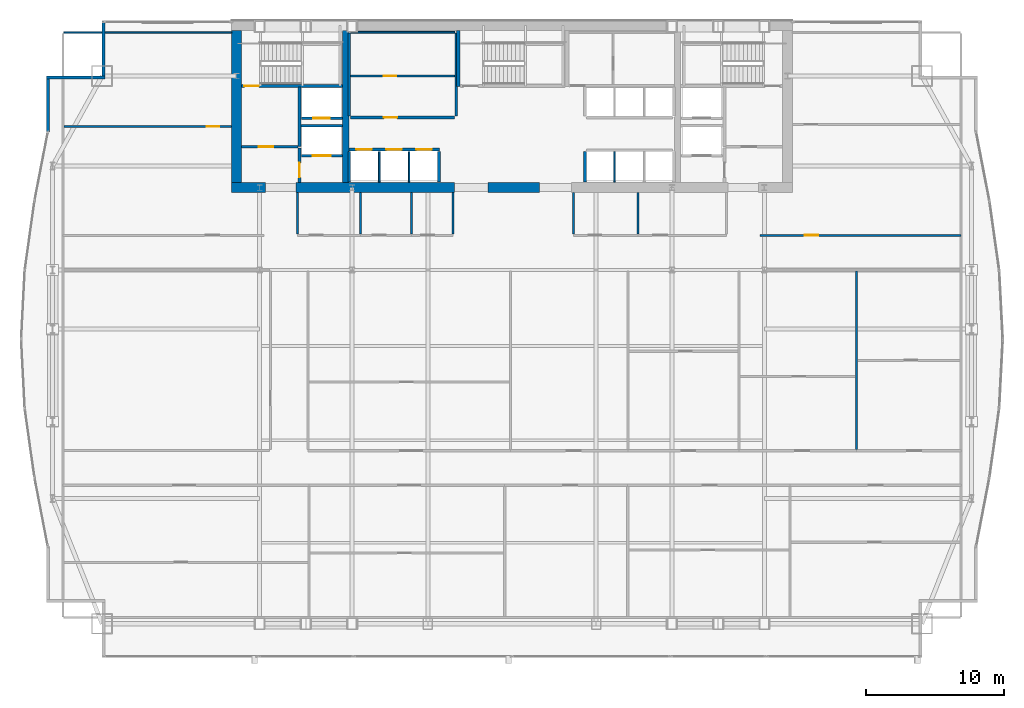
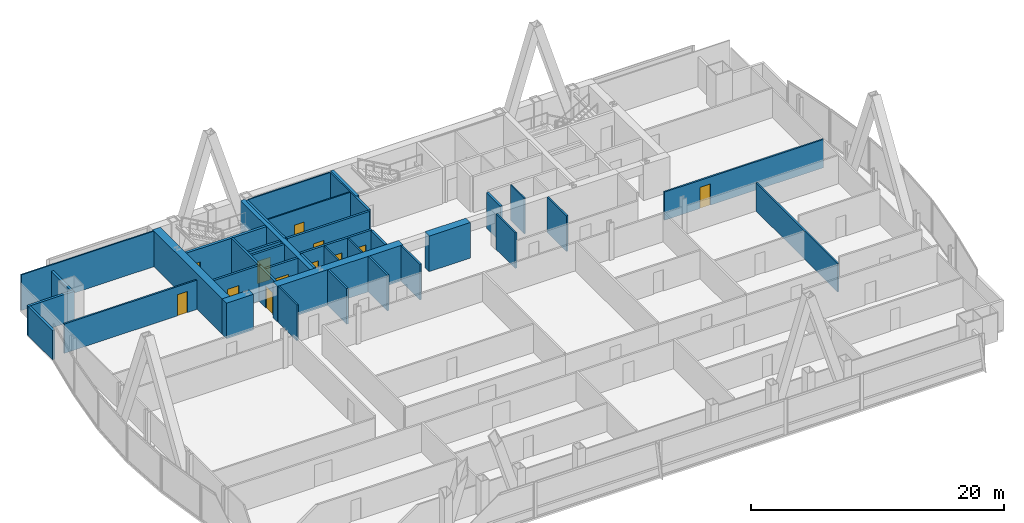
# One storey, part 28 of 33: 38 walls, 12 doors, 12 openings.
"""IFC4 building model written with IfcOpenShell, lengths in metres."""

import ifcopenshell
import ifcopenshell.guid

model = None  # the IFC model being written
_history = None  # IfcOwnerHistory: only IFC2X3 demands one
_inside = {}  # id of a spatial element -> (the spatial element, [elements in it])
_under = {}  # id of a project, library or spatial element -> (it, [spatial elements below it])
_declared = {}  # id of a project -> (the project, [libraries it declares])
_typed = {}  # id of a type object -> (the type object, [elements of that type])
_made_of = {}  # id of a material, layer set ... -> (it, [elements and type objects made of it])


def new_model(schema):
    """Start an empty IFC model of exactly this schema.

    Asked for "IFC4X3", IfcOpenShell would pick the latest addendum, in which some entities
    have other attributes; the version numbers below select the first issue.
    IFC2X3 requires an IfcOwnerHistory on every rooted entity: one is made here for all.
    """
    global model, _history
    if schema == "IFC4X3":
        model = ifcopenshell.file(schema_version=(4, 3, 0, 0))
    else:
        model = ifcopenshell.file(schema=schema)
    _inside.clear()
    _under.clear()
    _declared.clear()
    _typed.clear()
    _made_of.clear()
    _history = None
    if model.schema == "IFC2X3":
        org = make("IfcOrganization", Name="unknown")
        user = make(
            "IfcPersonAndOrganization",
            ThePerson=make("IfcPerson", FamilyName="unknown"),
            TheOrganization=org,
        )
        app = make(
            "IfcApplication",
            ApplicationDeveloper=org,
            Version="unknown",
            ApplicationFullName="unknown",
            ApplicationIdentifier="unknown",
        )
        _history = make(
            "IfcOwnerHistory",
            OwningUser=user,
            OwningApplication=app,
            ChangeAction="ADDED",
            CreationDate=0,
        )
    return model


def make(cls, **values):
    """One entity of the class cls with the attributes given. An attribute that is None is left unset."""
    return model.create_entity(
        cls, **{name: value for name, value in values.items() if value is not None}
    )


def rooted(cls, **values):
    """An entity with a GlobalId (a new one), such as an element, a storey or a relation."""
    return make(cls, GlobalId=ifcopenshell.guid.new(), OwnerHistory=_history, **values)


def si_unit(unit_type, name, prefix=None):
    """IfcSIUnit, for example si_unit("LENGTHUNIT", "METRE", prefix="MILLI")."""
    return make("IfcSIUnit", UnitType=unit_type, Prefix=prefix, Name=name)


def assignment(units):
    """IfcUnitAssignment: the units of a project."""
    return None if units is None else make("IfcUnitAssignment", Units=units)


def point(xyz):
    """IfcCartesianPoint."""
    return None if xyz is None else make("IfcCartesianPoint", Coordinates=xyz)


def direction(xyz):
    """IfcDirection."""
    return None if xyz is None else make("IfcDirection", DirectionRatios=xyz)


def frame(location, z_axis=None, x_axis=None):
    """IfcAxis2Placement3D, a coordinate frame: its origin and axes. An axis left out is left unset."""
    return make(
        "IfcAxis2Placement3D",
        Location=point(location),
        Axis=direction(z_axis),
        RefDirection=direction(x_axis),
    )


def frame_2d(location, x_axis=None):
    """IfcAxis2Placement2D, a coordinate frame in the plane: its origin and x axis."""
    return make(
        "IfcAxis2Placement2D", Location=point(location), RefDirection=direction(x_axis)
    )


def origin():
    """The frame at (0, 0, 0) with its axes left unset."""
    return frame((0.0, 0.0, 0.0))


def place(relative_to, where):
    """IfcLocalPlacement: puts the frame where relative to a parent placement (None: the world)."""
    return make(
        "IfcLocalPlacement", PlacementRelTo=relative_to, RelativePlacement=where
    )


def context(
    kind, dimensions, precision=None, world=None, true_north=None, identifier=None
):
    """IfcGeometricRepresentationContext, for example the 3D "Model" context."""
    return make(
        "IfcGeometricRepresentationContext",
        ContextIdentifier=identifier,
        ContextType=kind,
        CoordinateSpaceDimension=dimensions,
        Precision=precision,
        WorldCoordinateSystem=world,
        TrueNorth=true_north,
    )


def subcontext(parent, identifier, kind, view, scale=None):
    """IfcGeometricRepresentationSubContext, for example "Body" below "Model"."""
    return make(
        "IfcGeometricRepresentationSubContext",
        ContextIdentifier=identifier,
        ContextType=kind,
        ParentContext=parent,
        TargetScale=scale,
        TargetView=view,
    )


def project(units=None, contexts=None):
    """IfcProject with its units and contexts."""
    return rooted(
        "IfcProject",
        Name="project",
        RepresentationContexts=contexts,
        UnitsInContext=assignment(units),
    )


def spatial(cls, under=None, at=None, **own):
    """A site, building, storey or space (cls), placed at a placement, below another one or the project."""
    s = rooted(cls, ObjectPlacement=at, **own)
    if under is not None:
        _under.setdefault(under.id(), (under, []))[1].append(s)
    return s


def profile(cls, at=None, kind="AREA", **sizes):
    """A parametric profile (cls). Its sizes go by their IFC names, for example OverallWidth=200.0."""
    return make(cls, ProfileType=kind, Position=at, **sizes)


def rectangle(**sizes):
    """IfcRectangleProfileDef."""
    return profile("IfcRectangleProfileDef", **sizes)


def extrude(swept, where, along, depth):
    """IfcExtrudedAreaSolid: the profile swept, set in the frame where, extruded along a direction by depth."""
    return make(
        "IfcExtrudedAreaSolid",
        SweptArea=swept,
        Position=where,
        ExtrudedDirection=direction(along),
        Depth=depth,
    )


def shape(context_of_items, identifier, shape_type, items):
    """IfcShapeRepresentation: the items that make up one representation, for example the "Body"."""
    return make(
        "IfcShapeRepresentation",
        ContextOfItems=context_of_items,
        RepresentationIdentifier=identifier,
        RepresentationType=shape_type,
        Items=items,
    )


def material(Name=None, Category=None):
    """IfcMaterial."""
    return make("IfcMaterial", Name=Name, Category=Category)


def layer(
    of_material, thickness, ventilated=None, Name=None, Category=None, Priority=None
):
    """IfcMaterialLayer: one layer of a wall or slab, of a material (None: an air gap)."""
    return make(
        "IfcMaterialLayer",
        Material=of_material,
        LayerThickness=thickness,
        IsVentilated=ventilated,
        Name=Name,
        Category=Category,
        Priority=Priority,
    )


def layer_set(layers, Name=None):
    """IfcMaterialLayerSet."""
    return make("IfcMaterialLayerSet", MaterialLayers=layers, LayerSetName=Name)


def made_of(thing, what):
    """Note that an element or type object is made of a material, layer set ...; save() writes the relation."""
    if what is not None:
        _made_of.setdefault(what.id(), (what, []))[1].append(thing)
    return thing


def type_object(cls, material=None, **own):
    """A type object (cls), such as IfcWallType, which elements share."""
    return made_of(rooted(cls, **own), material)


def element(
    cls,
    number,
    at=None,
    inside=None,
    cuts=None,
    type_object=None,
    material=None,
    context=None,
    identifier="Body",
    shape_type=None,
    held_by="IfcProductDefinitionShape",
    body=None,
    shapes=None,
    **own,
):
    """One element of the class cls, such as IfcWall. Its Tag is "e" and its number.

    at: its placement. inside: the storey or other place that contains it. cuts: it is an
    opening in that element (IfcRelVoidsElement). A single representation is given by context,
    identifier, shape_type and body (its items); several are given by shapes. held_by: the class
    of the entity that holds the representations. save() writes the other relations.
    """
    e = rooted(cls, Tag="e%d" % number, ObjectPlacement=at, **own)
    if body is not None:
        shapes = [shape(context, identifier, shape_type, body)]
    if shapes is not None:
        e.Representation = make(held_by, Representations=shapes)
    if inside is not None:
        _inside.setdefault(inside.id(), (inside, []))[1].append(e)
    if cuts is not None:
        rooted(
            "IfcRelVoidsElement", RelatingBuildingElement=cuts, RelatedOpeningElement=e
        )
    if type_object is not None:
        _typed.setdefault(type_object.id(), (type_object, []))[1].append(e)
    return made_of(e, material)


def fill(opening, filler):
    """IfcRelFillsElement: the door or window that sits in an opening."""
    return rooted(
        "IfcRelFillsElement",
        RelatingOpeningElement=opening,
        RelatedBuildingElement=filler,
    )


def aggregate(whole, parts):
    """IfcRelAggregates: a whole, such as a stair, and the parts it consists of."""
    return rooted("IfcRelAggregates", RelatingObject=whole, RelatedObjects=parts)


def save(model, path):
    """Write the relations noted so far, then the file.

    IfcRelAggregates (storeys below a building ...), IfcRelContainedInSpatialStructure (elements
    in a storey), IfcRelDefinesByType, IfcRelAssociatesMaterial and IfcRelDeclares: one each for
    every whole, place, type object, material and project.
    """
    for whole, parts in _under.values():
        aggregate(whole, parts)
    for where, things in _inside.values():
        rooted(
            "IfcRelContainedInSpatialStructure",
            RelatedElements=things,
            RelatingStructure=where,
        )
    for kind, things in _typed.values():
        rooted("IfcRelDefinesByType", RelatedObjects=things, RelatingType=kind)
    for what, things in _made_of.values():
        rooted("IfcRelAssociatesMaterial", RelatedObjects=things, RelatingMaterial=what)
    for by, libraries in _declared.values():
        rooted("IfcRelDeclares", RelatingContext=by, RelatedDefinitions=libraries)
    model.write(path)


model = new_model("IFC4")

# Units and contexts
model_context = context("Model", 3, precision=1e-05, world=origin(), true_north=direction((0.0, 1.0)))
body_context = subcontext(model_context, "Body", "Model", "MODEL_VIEW")
ifc_project = project(units=[si_unit("LENGTHUNIT", "METRE"), si_unit("AREAUNIT", "SQUARE_METRE"), si_unit("VOLUMEUNIT", "CUBIC_METRE"), si_unit("PLANEANGLEUNIT", "RADIAN"), si_unit("MASSUNIT", "GRAM", prefix="KILO")], contexts=[model_context])

# Site, building, storey
site_placement = place(None, origin())
site = spatial("IfcSite", under=ifc_project, at=site_placement, CompositionType="ELEMENT")
building_placement = place(site_placement, origin())
building = spatial("IfcBuilding", under=site, at=building_placement, Name="Khoronbel Lancet Exchange", CompositionType="ELEMENT")
storey_placement = place(building_placement, frame((0.0, 0.0, 118.199951171875)))
storey = spatial("IfcBuildingStorey", under=building, at=storey_placement, Name="L28", CompositionType="ELEMENT", Elevation=118.199951171875)

# Walls
ifc_material_1 = material(Name="Concrete C80/95", Category="concrete")
ifc_layer_1 = layer(ifc_material_1, 0.699951171875, Name="Concrete C80/95")
ifc_layer_set_1 = layer_set([ifc_layer_1], Name="Concrete C80/95")
wall_type_1 = type_object("IfcWallType", Name="WL-CW2", PredefinedType="SHEAR", material=ifc_layer_set_1)
wall_1_placement = place(storey_placement, frame((16.550048828125, 42.0, 0.0), z_axis=(0.0, 0.0, 1.0), x_axis=(0.0, 1.0, 0.0)))
element("IfcWall", 1, at=wall_1_placement, inside=storey, type_object=wall_type_1, Name="Level L28 rear core west shear wall", PredefinedType="SHEAR", context=body_context, shape_type="SweptSolid", body=[
    extrude(rectangle(XDim=11.0, YDim=0.699951171875, at=frame_2d((5.5, 0.0))), origin(), (0.0, 0.0, 1.0), 3.43994140625),
])
wall_2_placement = place(storey_placement, frame((18.64990234375, 41.64990234375, 0.0), z_axis=(0.0, 0.0, 1.0), x_axis=(-1.0, 0.0, 0.0)))
element("IfcWall", 2, at=wall_2_placement, inside=storey, type_object=wall_type_1, Name="Level L28 rear core south shear wall pier P1", PredefinedType="SHEAR", context=body_context, shape_type="SweptSolid", body=[
    extrude(rectangle(XDim=2.449951171875, YDim=0.699951171875, at=frame_2d((1.22509765625, 0.0))), origin(), (0.0, 0.0, 1.0), 3.43994140625),
])
wall_3_placement = place(storey_placement, frame((32.300048828125, 41.64990234375, 0.0), z_axis=(0.0, 0.0, 1.0), x_axis=(-1.0, 0.0, 0.0)))
element("IfcWall", 3, at=wall_3_placement, inside=storey, type_object=wall_type_1, Name="Level L28 rear core south shear wall pier P2", PredefinedType="SHEAR", context=body_context, shape_type="SweptSolid", body=[
    extrude(rectangle(XDim=11.449951171875, YDim=0.699951171875, at=frame_2d((5.72509765625, 0.0))), origin(), (0.0, 0.0, 1.0), 3.43994140625),
])
wall_4_placement = place(storey_placement, frame((38.449951171875, 41.64990234375, 0.0), z_axis=(0.0, 0.0, 1.0), x_axis=(-1.0, 0.0, 0.0)))
element("IfcWall", 4, at=wall_4_placement, inside=storey, type_object=wall_type_1, Name="Level L28 rear core south shear wall pier P3", PredefinedType="SHEAR", context=body_context, shape_type="SweptSolid", body=[
    extrude(rectangle(XDim=3.75, YDim=0.699951171875, at=frame_2d((1.875, 0.0))), origin(), (0.0, 0.0, 1.0), 3.43994140625),
])
ifc_material_2 = material(Name="Precast concrete C40/50", Category="concrete")
ifc_layer_2 = layer(ifc_material_2, 0.25, Name="Precast concrete C40/50")
ifc_layer_set_2 = layer_set([ifc_layer_2], Name="Precast concrete C40/50")
wall_type_2 = type_object("IfcWallType", Name="WL-EXT250", PredefinedType="SOLIDWALL", material=ifc_layer_set_2)
wall_5_placement = place(storey_placement, frame((2.93994140625, 45.67138671875, 0.0), z_axis=(0.0, 0.0, 1.0), x_axis=(0.0, 1.0, 0.0)))
element("IfcWall", 5, at=wall_5_placement, inside=storey, type_object=wall_type_2, Name="Level L28 notched-corner limestone pier 10", PredefinedType="SOLIDWALL", context=body_context, shape_type="SweptSolid", body=[
    extrude(rectangle(XDim=3.82861328125, YDim=0.219970703125, at=frame_2d((1.914306640625, 0.0))), origin(), (0.0, 0.0, 1.0), 2.830078125),
])
wall_6_placement = place(storey_placement, frame((2.830078125, 49.610107421875, 0.0), z_axis=(0.0, 0.0, 1.0), x_axis=(1.0, 0.0, 0.0)))
element("IfcWall", 6, at=wall_6_placement, inside=storey, type_object=wall_type_2, Name="Level L28 notched-corner limestone pier 11", PredefinedType="SOLIDWALL", context=body_context, shape_type="SweptSolid", body=[
    extrude(rectangle(XDim=4.219970703125, YDim=0.219970703125, at=frame_2d((2.10986328125, 0.0))), origin(), (0.0, 0.0, 1.0), 2.830078125),
])
wall_7_placement = place(storey_placement, frame((6.93994140625, 49.719970703125, 0.0), z_axis=(0.0, 0.0, 1.0), x_axis=(0.0, 1.0, 0.0)))
element("IfcWall", 7, at=wall_7_placement, inside=storey, type_object=wall_type_2, Name="Level L28 notched-corner limestone pier 12", PredefinedType="SOLIDWALL", context=body_context, shape_type="SweptSolid", body=[
    extrude(rectangle(XDim=3.909912109375, YDim=0.219970703125, at=frame_2d((1.955078125, 0.0))), origin(), (0.0, 0.0, 1.0), 2.830078125),
])
ifc_material_3 = material(Name="Acoustic Metal-Stud & Mineral-Wool Gypsum Partition 120 mm", Category="gypsum")
ifc_layer_3 = layer(ifc_material_3, 0.1201171875, Name="Acoustic Metal-Stud & Mineral-Wool Gypsum Partition 120 mm")
ifc_layer_set_3 = layer_set([ifc_layer_3], Name="Acoustic Metal-Stud & Mineral-Wool Gypsum Partition 120 mm")
wall_type_3 = type_object("IfcWallType", Name="WL-PRT120", PredefinedType="PARTITIONING", material=ifc_layer_set_3)
for number, where, z_axis, x_axis, name in (
    (8, (20.949951171875, 38.280029296875, 0.0), (0.0, 0.0, 1.0), (0.0, 1.0, 0.0), "Level L28 interior partition PW-WC-0"),
    (9, (25.5, 38.280029296875, 0.0), (0.0, 0.0, 1.0), (0.0, 1.0, 0.0), "Level L28 interior partition PW-WC-1"),
    (10, (29.199951171875, 38.280029296875, 0.0), (0.0, 0.0, 1.0), (0.0, 1.0, 0.0), "Level L28 interior partition PW-WC-2"),
    (11, (32.179931640625, 38.280029296875, 0.0), (0.0, 0.0, 1.0), (0.0, 1.0, 0.0), "Level L28 interior partition PW-WC-3"),
    (12, (40.8798828125, 38.280029296875, 0.0), (0.0, 0.0, 1.0), (0.0, 1.0, 0.0), "Level L28 interior partition PW-NP-0"),
    (13, (45.550048828125, 38.280029296875, 0.0), (0.0, 0.0, 1.0), (0.0, 1.0, 0.0), "Level L28 interior partition PW-NP-M"),
):
    element("IfcWall", number, at=place(storey_placement, frame(where, z_axis=z_axis, x_axis=x_axis)), inside=storey, type_object=wall_type_3, Name=name, PredefinedType="PARTITIONING", context=body_context, shape_type="SweptSolid", body=[
        extrude(rectangle(XDim=3.02001953125, YDim=0.14990234375, at=frame_2d((1.510009765625, 0.0))), origin(), (0.0, 0.0, 1.0), 3.43994140625),
    ])

# Wall, opening, door
wall_8_placement = place(storey_placement, frame((4.094970703125, 46.050048828125, 0.0), z_axis=(0.0, 0.0, 1.0), x_axis=(1.0, 0.0, 0.0)))
wall_8 = element("IfcWall", 14, at=wall_8_placement, inside=storey, type_object=wall_type_3, Name="Level L28 interior partition PW-NW-H", PredefinedType="PARTITIONING", context=body_context, shape_type="SweptSolid", body=[
    extrude(rectangle(XDim=12.10498046875, YDim=0.14990234375, at=frame_2d((6.052490234375, 0.0))), origin(), (0.0, 0.0, 1.0), 2.830078125),
])
opening_1_placement = place(wall_8_placement, frame((10.320068359375, 0.0, 0.0)))
opening_1 = element("IfcOpeningElement", 15, at=opening_1_placement, cuts=wall_8, Name="Opening D5", PredefinedType="OPENING", context=body_context, shape_type="SweptSolid", body=[
    extrude(rectangle(XDim=0.89990234375, YDim=2.050048828125, at=frame_2d((0.449951171875, 1.02490234375))), frame((0.0, 0.0849609375, 0.0), z_axis=(0.0, -1.0, 0.0), x_axis=(1.0, 0.0, 0.0)), (0.0, 0.0, 1.0), 0.169921875),
])
ifc_material_4 = material(Name="Acoustic Timber Pantry & Support Door", Category="wood")
door_type_1 = type_object("IfcDoorType", Name="DR-D5", OperationType="NOTDEFINED", PredefinedType="DOOR", material=ifc_material_4)
door_1_placement = place(opening_1_placement, origin())
door_1 = element("IfcDoor", 16, at=door_1_placement, inside=storey, type_object=door_type_1, Name="NW north room door L28-1", OperationType="SINGLE_SWING_LEFT", OverallHeight=2.050048828125, OverallWidth=0.89990234375, PredefinedType="DOOR", context=body_context, shape_type="SweptSolid", body=[
    extrude(rectangle(XDim=0.89990234375, YDim=2.050048828125, at=frame_2d((0.449951171875, 1.02490234375))), frame((0.0, 0.02490234375, 0.0), z_axis=(0.0, -1.0, 0.0), x_axis=(1.0, 0.0, 0.0)), (0.0, 0.0, 1.0), 0.050048828125),
])
fill(opening_1, door_1)

# Walls
wall_9_placement = place(storey_placement, frame((4.094970703125, 52.840087890625, 0.0), z_axis=(0.0, 0.0, 1.0), x_axis=(1.0, 0.0, 0.0)))
element("IfcWall", 17, at=wall_9_placement, inside=storey, type_object=wall_type_3, Name="Level L28 interior partition PW-LIN-NW", PredefinedType="PARTITIONING", context=body_context, shape_type="SweptSolid", body=[
    extrude(rectangle(XDim=12.10498046875, YDim=0.1201171875, at=frame_2d((6.052490234375, 0.0))), origin(), (0.0, 0.0, 1.0), 3.43994140625),
])
ifc_material_5 = material(Name="Fire-Rated Metal-Stud & Mineral-Wool Gypsum Partition 120 mm", Category="gypsum")
ifc_layer_4 = layer(ifc_material_5, 0.1201171875, Name="Fire-Rated Metal-Stud & Mineral-Wool Gypsum Partition 120 mm")
ifc_layer_set_4 = layer_set([ifc_layer_4], Name="Fire-Rated Metal-Stud & Mineral-Wool Gypsum Partition 120 mm")
wall_type_4 = type_object("IfcWallType", Name="WL-PRT120F", PredefinedType="PARTITIONING", material=ifc_layer_set_4)
wall_10_placement = place(storey_placement, frame((24.804931640625, 52.860107421875, 0.0), z_axis=(0.0, 0.0, 1.0), x_axis=(1.0, 0.0, 0.0)))
element("IfcWall", 18, at=wall_10_placement, inside=storey, type_object=wall_type_4, Name="Level L28 interior partition CW-PL-RN", PredefinedType="PARTITIONING", context=body_context, shape_type="SweptSolid", body=[
    extrude(rectangle(XDim=7.510009765625, YDim=0.1201171875, at=frame_2d((3.7548828125, 0.0))), origin(), (0.0, 0.0, 1.0), 3.43994140625),
])

# Wall, opening, door
wall_11_placement = place(storey_placement, frame((24.804931640625, 49.708740234375, 0.0), z_axis=(0.0, 0.0, 1.0), x_axis=(1.0, 0.0, 0.0)))
wall_11 = element("IfcWall", 19, at=wall_11_placement, inside=storey, type_object=wall_type_4, Name="Level L28 interior partition CW-PL-RH", PredefinedType="PARTITIONING", context=body_context, shape_type="SweptSolid", body=[
    extrude(rectangle(XDim=7.510009765625, YDim=0.1201171875, at=frame_2d((3.7548828125, 0.0))), origin(), (0.0, 0.0, 1.0), 3.43994140625),
])
opening_2_placement = place(wall_11_placement, frame((2.39990234375, 0.0, 0.0)))
opening_2 = element("IfcOpeningElement", 20, at=opening_2_placement, cuts=wall_11, Name="Opening FD4", PredefinedType="OPENING", context=body_context, shape_type="SweptSolid", body=[
    extrude(rectangle(XDim=0.89990234375, YDim=2.050048828125, at=frame_2d((0.449951171875, 1.02490234375))), frame((0.0, 0.070068359375, 0.0), z_axis=(0.0, -1.0, 0.0), x_axis=(1.0, 0.0, 0.0)), (0.0, 0.0, 1.0), 0.14013671875),
])
ifc_material_6 = material(Name="Fire-Rated Steel Core Support Door Assembly", Category="steel")
door_type_2 = type_object("IfcDoorType", Name="DR-FD4", OperationType="NOTDEFINED", PredefinedType="DOOR", material=ifc_material_6)
door_2_placement = place(opening_2_placement, origin())
door_2 = element("IfcDoor", 21, at=door_2_placement, inside=storey, type_object=door_type_2, Name="Core PL inner store door L28-1", OperationType="SINGLE_SWING_RIGHT", OverallHeight=2.050048828125, OverallWidth=0.89990234375, PredefinedType="DOOR", context=body_context, shape_type="SweptSolid", body=[
    extrude(rectangle(XDim=0.89990234375, YDim=2.050048828125, at=frame_2d((0.449951171875, 1.02490234375))), frame((0.0, 0.02490234375, 0.0), z_axis=(0.0, -1.0, 0.0), x_axis=(1.0, 0.0, 0.0)), (0.0, 0.0, 1.0), 0.050048828125),
])
fill(opening_2, door_2)

# Walls
for number, where, z_axis, x_axis, name in (
    (22, (26.860107421875, 42.050048828125, 0.0), (0.0, 0.0, 1.0), (0.0, 1.0, 0.0), "Level L28 interior partition CW-PM-D1"),
    (23, (29.02001953125, 42.050048828125, 0.0), (0.0, 0.0, 1.0), (0.0, 1.0, 0.0), "Level L28 interior partition CW-PM-D2"),
):
    element("IfcWall", number, at=place(storey_placement, frame(where, z_axis=z_axis, x_axis=x_axis)), inside=storey, type_object=wall_type_4, Name=name, PredefinedType="PARTITIONING", context=body_context, shape_type="SweptSolid", body=[
        extrude(rectangle(XDim=2.199951171875, YDim=0.1201171875, at=frame_2d((1.10009765625, 0.0))), origin(), (0.0, 0.0, 1.0), 3.43994140625),
    ])
wall_12_placement = place(storey_placement, frame((43.860107421875, 42.050048828125, 0.0), z_axis=(0.0, 0.0, 1.0), x_axis=(0.0, 1.0, 0.0)))
element("IfcWall", 24, at=wall_12_placement, inside=storey, type_object=wall_type_4, Name="Level L28 interior partition CW-PX-D1", PredefinedType="PARTITIONING", context=body_context, shape_type="SweptSolid", body=[
    extrude(rectangle(XDim=2.195068359375, YDim=0.1201171875, at=frame_2d((1.09765625, 0.0))), origin(), (0.0, 0.0, 1.0), 3.43994140625),
])

# Wall, opening, door
ifc_material_7 = material(Name="Fire-Rated Twin-Stud Acoustic Gypsum Partition 150 mm", Category="gypsum")
ifc_layer_5 = layer(ifc_material_7, 0.14990234375, Name="Fire-Rated Twin-Stud Acoustic Gypsum Partition 150 mm")
ifc_layer_set_5 = layer_set([ifc_layer_5], Name="Fire-Rated Twin-Stud Acoustic Gypsum Partition 150 mm")
wall_type_5 = type_object("IfcWallType", Name="WL-PRT150C", PredefinedType="PARTITIONING", material=ifc_layer_set_5)
wall_13_placement = place(storey_placement, frame((54.35009765625, 38.199951171875, 0.0), z_axis=(0.0, 0.0, 1.0), x_axis=(1.0, 0.0, 0.0)))
wall_13 = element("IfcWall", 25, at=wall_13_placement, inside=storey, type_object=wall_type_5, Name="Level L28 interior partition PW-NE-S", PredefinedType="PARTITIONING", context=body_context, shape_type="SweptSolid", body=[
    extrude(rectangle(XDim=14.52001953125, YDim=0.14990234375, at=frame_2d((7.260009765625, 0.0))), origin(), (0.0, 0.0, 1.0), 2.72998046875),
])
opening_3_placement = place(wall_13_placement, frame((3.25, 0.0, 0.0)))
opening_3 = element("IfcOpeningElement", 26, at=opening_3_placement, cuts=wall_13, Name="Opening D1", PredefinedType="OPENING", context=body_context, shape_type="SweptSolid", body=[
    extrude(rectangle(XDim=0.949951171875, YDim=2.050048828125, at=frame_2d((0.47509765625, 1.02490234375))), frame((0.0, 0.0849609375, 0.0), z_axis=(0.0, -1.0, 0.0), x_axis=(1.0, 0.0, 0.0)), (0.0, 0.0, 1.0), 0.169921875),
])
ifc_material_8 = material(Name="Acoustic Veneered Timber & Bronze Frame Door", Category="wood")
door_type_3 = type_object("IfcDoorType", Name="DR-D1", OperationType="NOTDEFINED", PredefinedType="DOOR", material=ifc_material_8)
door_3_placement = place(opening_3_placement, origin())
door_3 = element("IfcDoor", 27, at=door_3_placement, inside=storey, type_object=door_type_3, Name="NE corner room door L28-1", OperationType="SINGLE_SWING_RIGHT", OverallHeight=2.050048828125, OverallWidth=0.949951171875, PredefinedType="DOOR", context=body_context, shape_type="SweptSolid", body=[
    extrude(rectangle(XDim=0.949951171875, YDim=2.050048828125, at=frame_2d((0.47509765625, 1.02490234375))), frame((0.0, 0.02490234375, 0.0), z_axis=(0.0, -1.0, 0.0), x_axis=(1.0, 0.0, 0.0)), (0.0, 0.0, 1.0), 0.050048828125),
])
fill(opening_3, door_3)

# Wall
wall_14_placement = place(storey_placement, frame((61.32763671875, 22.735107421875, 0.0), z_axis=(0.0, 0.0, 1.0), x_axis=(0.0, 1.0, 0.0)))
element("IfcWall", 28, at=wall_14_placement, inside=storey, type_object=wall_type_5, Name="Level L28 interior partition PW-Z2N-V4", PredefinedType="PARTITIONING", context=body_context, shape_type="SweptSolid", body=[
    extrude(rectangle(XDim=12.885009765625, YDim=0.14990234375, at=frame_2d((6.4423828125, 0.0))), origin(), (0.0, 0.0, 1.0), 2.72998046875),
])

# Wall, openings, doors
ifc_material_9 = material(Name="Autoclaved Aerated Concrete Blockwork 200 mm", Category="masonry")
ifc_layer_6 = layer(ifc_material_9, 0.199951171875, Name="Autoclaved Aerated Concrete Blockwork 200 mm")
ifc_layer_set_6 = layer_set([ifc_layer_6], Name="Autoclaved Aerated Concrete Blockwork 200 mm")
wall_type_6 = type_object("IfcWallType", Name="WL-PRT200", PredefinedType="PARTITIONING", material=ifc_layer_set_6)
wall_15_placement = place(storey_placement, frame((24.68994140625, 44.39990234375, 0.0), z_axis=(0.0, 0.0, 1.0), x_axis=(1.0, 0.0, 0.0)))
wall_15 = element("IfcWall", 29, at=wall_15_placement, inside=storey, type_object=wall_type_6, Name="Level L28 elevator hoistway landing front wall PMW", PredefinedType="PARTITIONING", context=body_context, shape_type="SweptSolid", body=[
    extrude(rectangle(XDim=6.530029296875, YDim=0.199951171875, at=frame_2d((3.26513671875, 0.0))), origin(), (0.0, 0.0, 1.0), 3.43994140625),
])
opening_4_placement = place(wall_15_placement, frame((0.530029296875, 0.0, 0.0)))
opening_4 = element("IfcOpeningElement", 30, at=opening_4_placement, cuts=wall_15, Name="Opening LD-PM1", PredefinedType="OPENING", context=body_context, shape_type="SweptSolid", body=[
    extrude(rectangle(XDim=1.10009765625, YDim=2.179931640625, at=frame_2d((0.550048828125, 1.08984375))), frame((0.0, 0.10986328125, 0.0), z_axis=(0.0, -1.0, 0.0), x_axis=(1.0, 0.0, 0.0)), (0.0, 0.0, 1.0), 0.219970703125),
])
opening_5_placement = place(wall_15_placement, frame((2.68994140625, 0.0, 0.0)))
opening_5 = element("IfcOpeningElement", 31, at=opening_5_placement, cuts=wall_15, Name="Opening LD-PM2", PredefinedType="OPENING", context=body_context, shape_type="SweptSolid", body=[
    extrude(rectangle(XDim=1.10009765625, YDim=2.179931640625, at=frame_2d((0.550048828125, 1.08984375))), frame((0.0, 0.10986328125, 0.0), z_axis=(0.0, -1.0, 0.0), x_axis=(1.0, 0.0, 0.0)), (0.0, 0.0, 1.0), 0.219970703125),
])
opening_6_placement = place(wall_15_placement, frame((4.85009765625, 0.0, 0.0)))
opening_6 = element("IfcOpeningElement", 32, at=opening_6_placement, cuts=wall_15, Name="Opening LD-PM3", PredefinedType="OPENING", context=body_context, shape_type="SweptSolid", body=[
    extrude(rectangle(XDim=1.10009765625, YDim=2.179931640625, at=frame_2d((0.550048828125, 1.08984375))), frame((0.0, 0.10986328125, 0.0), z_axis=(0.0, -1.0, 0.0), x_axis=(1.0, 0.0, 0.0)), (0.0, 0.0, 1.0), 0.219970703125),
])
ifc_material_10 = material(Name="Brushed Bronze Bi-Parting Elevator Landing Door", Category="steel")
door_type_4 = type_object("IfcDoorType", Name="DR-LD-PAX", OperationType="NOTDEFINED", PredefinedType="DOOR", material=ifc_material_10)
door_4_placement = place(opening_4_placement, origin())
door_4 = element("IfcDoor", 33, at=door_4_placement, inside=storey, type_object=door_type_4, Name="Elevator landing sliding door LD-PM1 L28", OperationType="SLIDING_TO_LEFT", OverallHeight=2.179931640625, OverallWidth=1.10009765625, PredefinedType="DOOR", context=body_context, shape_type="SweptSolid", body=[
    extrude(rectangle(XDim=1.10009765625, YDim=2.179931640625, at=frame_2d((0.550048828125, 1.08984375))), frame((0.0, 0.02490234375, 0.0), z_axis=(0.0, -1.0, 0.0), x_axis=(1.0, 0.0, 0.0)), (0.0, 0.0, 1.0), 0.050048828125),
])
fill(opening_4, door_4)
door_5_placement = place(opening_5_placement, origin())
door_5 = element("IfcDoor", 34, at=door_5_placement, inside=storey, type_object=door_type_4, Name="Elevator landing sliding door LD-PM2 L28", OperationType="SLIDING_TO_LEFT", OverallHeight=2.179931640625, OverallWidth=1.10009765625, PredefinedType="DOOR", context=body_context, shape_type="SweptSolid", body=[
    extrude(rectangle(XDim=1.10009765625, YDim=2.179931640625, at=frame_2d((0.550048828125, 1.08984375))), frame((0.0, 0.02490234375, 0.0), z_axis=(0.0, -1.0, 0.0), x_axis=(1.0, 0.0, 0.0)), (0.0, 0.0, 1.0), 0.050048828125),
])
fill(opening_5, door_5)
door_6_placement = place(opening_6_placement, origin())
door_6 = element("IfcDoor", 35, at=door_6_placement, inside=storey, type_object=door_type_4, Name="Elevator landing sliding door LD-PM3 L28", OperationType="SLIDING_TO_LEFT", OverallHeight=2.179931640625, OverallWidth=1.10009765625, PredefinedType="DOOR", context=body_context, shape_type="SweptSolid", body=[
    extrude(rectangle(XDim=1.10009765625, YDim=2.179931640625, at=frame_2d((0.550048828125, 1.08984375))), frame((0.0, 0.02490234375, 0.0), z_axis=(0.0, -1.0, 0.0), x_axis=(1.0, 0.0, 0.0)), (0.0, 0.0, 1.0), 0.050048828125),
])
fill(opening_6, door_6)

# Wall, opening, door
wall_16_placement = place(storey_placement, frame((24.2099609375, 43.949951171875, 0.0), z_axis=(0.0, 0.0, 1.0), x_axis=(-1.0, 0.0, 0.0)))
wall_16 = element("IfcWall", 36, at=wall_16_placement, inside=storey, type_object=wall_type_6, Name="Level L28 elevator hoistway landing front wall SVLW", PredefinedType="PARTITIONING", context=body_context, shape_type="SweptSolid", body=[
    extrude(rectangle(XDim=2.969970703125, YDim=0.199951171875, at=frame_2d((1.48486328125, 0.0))), origin(), (0.0, 0.0, 1.0), 3.43994140625),
])
opening_7_placement = place(wall_16_placement, frame((0.860107421875, 0.0, 0.0)))
opening_7 = element("IfcOpeningElement", 37, at=opening_7_placement, cuts=wall_16, Name="Opening LD-SVL1", PredefinedType="OPENING", context=body_context, shape_type="SweptSolid", body=[
    extrude(rectangle(XDim=1.300048828125, YDim=2.179931640625, at=frame_2d((0.64990234375, 1.08984375))), frame((0.0, 0.10986328125, 0.0), z_axis=(0.0, -1.0, 0.0), x_axis=(1.0, 0.0, 0.0)), (0.0, 0.0, 1.0), 0.219970703125),
])
ifc_material_11 = material(Name="Heavy-Duty Bi-Parting Goods Lift Landing Door", Category="steel")
door_type_5 = type_object("IfcDoorType", Name="DR-LD-SVL", OperationType="NOTDEFINED", PredefinedType="DOOR", material=ifc_material_11)
door_7_placement = place(opening_7_placement, origin())
door_7 = element("IfcDoor", 38, at=door_7_placement, inside=storey, type_object=door_type_5, Name="Elevator landing sliding door LD-SVL1 L28", OperationType="SLIDING_TO_LEFT", OverallHeight=2.179931640625, OverallWidth=1.300048828125, PredefinedType="DOOR", context=body_context, shape_type="SweptSolid", body=[
    extrude(rectangle(XDim=1.300048828125, YDim=2.179931640625, at=frame_2d((0.64990234375, 1.08984375))), frame((0.0, 0.02490234375, 0.0), z_axis=(0.0, -1.0, 0.0), x_axis=(1.0, 0.0, 0.0)), (0.0, 0.0, 1.0), 0.050048828125),
])
fill(opening_7, door_7)

wall_17_placement = place(storey_placement, frame((24.2099609375, 46.64990234375, 0.0), z_axis=(0.0, 0.0, 1.0), x_axis=(-1.0, 0.0, 0.0)))
wall_17 = element("IfcWall", 39, at=wall_17_placement, inside=storey, type_object=wall_type_6, Name="Level L28 elevator hoistway landing front wall FFLW", PredefinedType="PARTITIONING", context=body_context, shape_type="SweptSolid", body=[
    extrude(rectangle(XDim=2.969970703125, YDim=0.199951171875, at=frame_2d((1.48486328125, 0.0))), origin(), (0.0, 0.0, 1.0), 3.43994140625),
])
opening_8_placement = place(wall_17_placement, frame((0.909912109375, 0.0, 0.0)))
opening_8 = element("IfcOpeningElement", 40, at=opening_8_placement, cuts=wall_17, Name="Opening LD-FFL1", PredefinedType="OPENING", context=body_context, shape_type="SweptSolid", body=[
    extrude(rectangle(XDim=1.199951171875, YDim=2.179931640625, at=frame_2d((0.60009765625, 1.08984375))), frame((0.0, 0.10986328125, 0.0), z_axis=(0.0, -1.0, 0.0), x_axis=(1.0, 0.0, 0.0)), (0.0, 0.0, 1.0), 0.219970703125),
])
ifc_material_12 = material(Name="Fire-Rated Stainless Bi-Parting Firefighting Lift Door", Category="steel")
door_type_6 = type_object("IfcDoorType", Name="DR-LD-FFL", OperationType="NOTDEFINED", PredefinedType="DOOR", material=ifc_material_12)
door_8_placement = place(opening_8_placement, origin())
door_8 = element("IfcDoor", 41, at=door_8_placement, inside=storey, type_object=door_type_6, Name="Elevator landing sliding door LD-FFL1 L28", OperationType="SLIDING_TO_LEFT", OverallHeight=2.179931640625, OverallWidth=1.199951171875, PredefinedType="DOOR", context=body_context, shape_type="SweptSolid", body=[
    extrude(rectangle(XDim=1.199951171875, YDim=2.179931640625, at=frame_2d((0.60009765625, 1.08984375))), frame((0.0, 0.02490234375, 0.0), z_axis=(0.0, -1.0, 0.0), x_axis=(1.0, 0.0, 0.0)), (0.0, 0.0, 1.0), 0.050048828125),
])
fill(opening_8, door_8)

# Wall
wall_18_placement = place(storey_placement, frame((21.10009765625, 44.60009765625, 0.0), z_axis=(0.0, 0.0, 1.0), x_axis=(0.0, 1.0, 0.0)))
element("IfcWall", 42, at=wall_18_placement, inside=storey, type_object=wall_type_6, Name="Level L28 interior partition CW-FFLW-E", PredefinedType="PARTITIONING", context=body_context, shape_type="SweptSolid", body=[
    extrude(rectangle(XDim=4.2998046875, YDim=0.199951171875, at=frame_2d((2.14990234375, 0.0))), origin(), (0.0, 0.0, 1.0), 3.43994140625),
])

# Wall, opening, door
wall_19_placement = place(storey_placement, frame((16.89990234375, 44.60009765625, 0.0), z_axis=(0.0, 0.0, 1.0), x_axis=(1.0, 0.0, 0.0)))
wall_19 = element("IfcWall", 43, at=wall_19_placement, inside=storey, type_object=wall_type_6, Name="Level L28 interior partition CW-FFLW-S", PredefinedType="PARTITIONING", context=body_context, shape_type="SweptSolid", body=[
    extrude(rectangle(XDim=4.10009765625, YDim=0.199951171875, at=frame_2d((2.050048828125, 0.0))), origin(), (0.0, 0.0, 1.0), 3.43994140625),
])
opening_9_placement = place(wall_19_placement, frame((1.25, 0.0, 0.0)))
opening_9 = element("IfcOpeningElement", 44, at=opening_9_placement, cuts=wall_19, Name="Opening FD1", PredefinedType="OPENING", context=body_context, shape_type="SweptSolid", body=[
    extrude(rectangle(XDim=1.050048828125, YDim=2.14990234375, at=frame_2d((0.52490234375, 1.074951171875))), frame((0.0, 0.10986328125, 0.0), z_axis=(0.0, -1.0, 0.0), x_axis=(1.0, 0.0, 0.0)), (0.0, 0.0, 1.0), 0.219970703125),
])
ifc_material_13 = material(Name="Fire-Rated Painted Steel Door Assembly", Category="steel")
door_type_7 = type_object("IfcDoorType", Name="DR-FD1", OperationType="NOTDEFINED", PredefinedType="DOOR", material=ifc_material_13)
door_9_placement = place(opening_9_placement, origin())
door_9 = element("IfcDoor", 45, at=door_9_placement, inside=storey, type_object=door_type_7, Name="West firefighting lobby FD90S door L28-1", OperationType="SINGLE_SWING_RIGHT", OverallHeight=2.14990234375, OverallWidth=1.050048828125, PredefinedType="DOOR", context=body_context, shape_type="SweptSolid", body=[
    extrude(rectangle(XDim=1.050048828125, YDim=2.14990234375, at=frame_2d((0.52490234375, 1.074951171875))), frame((0.0, 0.02490234375, 0.0), z_axis=(0.0, -1.0, 0.0), x_axis=(1.0, 0.0, 0.0)), (0.0, 0.0, 1.0), 0.050048828125),
])
fill(opening_9, door_9)

# Wall
wall_20_placement = place(storey_placement, frame((21.199951171875, 46.1201171875, 0.0), z_axis=(0.0, 0.0, 1.0), x_axis=(1.0, 0.0, 0.0)))
element("IfcWall", 46, at=wall_20_placement, inside=storey, type_object=wall_type_6, Name="Level L28 interior partition CW-FFL1-S", PredefinedType="PARTITIONING", context=body_context, shape_type="SweptSolid", body=[
    extrude(rectangle(XDim=3.02001953125, YDim=0.199951171875, at=frame_2d((1.510009765625, 0.0))), origin(), (0.0, 0.0, 1.0), 3.43994140625),
])

# Wall, opening, door
wall_21_placement = place(storey_placement, frame((21.10009765625, 42.0, 0.0), z_axis=(0.0, 0.0, 1.0), x_axis=(0.0, 1.0, 0.0)))
wall_21 = element("IfcWall", 47, at=wall_21_placement, inside=storey, type_object=wall_type_6, Name="Level L28 interior partition CW-SVLW-W", PredefinedType="PARTITIONING", context=body_context, shape_type="SweptSolid", body=[
    extrude(rectangle(XDim=2.4951171875, YDim=0.199951171875, at=frame_2d((1.24755859375, 0.0))), origin(), (0.0, 0.0, 1.0), 3.43994140625),
])
opening_10_placement = place(wall_21_placement, frame((0.3798828125, 0.0, 0.0)))
opening_10 = element("IfcOpeningElement", 48, at=opening_10_placement, cuts=wall_21, Name="Opening FD1", PredefinedType="OPENING", context=body_context, shape_type="SweptSolid", body=[
    extrude(rectangle(XDim=1.050048828125, YDim=2.14990234375, at=frame_2d((0.52490234375, 1.074951171875))), frame((0.0, 0.10986328125, 0.0), z_axis=(0.0, -1.0, 0.0), x_axis=(1.0, 0.0, 0.0)), (0.0, 0.0, 1.0), 0.219970703125),
])
door_10_placement = place(opening_10_placement, origin())
door_10 = element("IfcDoor", 49, at=door_10_placement, inside=storey, type_object=door_type_7, Name="West service lift lobby door L28-1", OperationType="SINGLE_SWING_LEFT", OverallHeight=2.14990234375, OverallWidth=1.050048828125, PredefinedType="DOOR", context=body_context, shape_type="SweptSolid", body=[
    extrude(rectangle(XDim=1.050048828125, YDim=2.14990234375, at=frame_2d((0.52490234375, 1.074951171875))), frame((0.0, 0.02490234375, 0.0), z_axis=(0.0, -1.0, 0.0), x_axis=(1.0, 0.0, 0.0)), (0.0, 0.0, 1.0), 0.050048828125),
])
fill(opening_10, door_10)

# Walls
for number, where, z_axis, x_axis, name in (
    (50, (24.699951171875, 46.804931640625, 0.0), (0.0, 0.0, 1.0), (0.0, 1.0, 0.0), "Level L28 interior partition CW-PL-RW"),
    (51, (32.419921875, 46.804931640625, 0.0), (0.0, 0.0, 1.0), (0.0, 1.0, 0.0), "Level L28 interior partition CW-PL-RE"),
):
    element("IfcWall", number, at=place(storey_placement, frame(where, z_axis=z_axis, x_axis=x_axis)), inside=storey, type_object=wall_type_6, Name=name, PredefinedType="PARTITIONING", context=body_context, shape_type="SweptSolid", body=[
        extrude(rectangle(XDim=5.989990234375, YDim=0.199951171875, at=frame_2d((2.9951171875, 0.0))), origin(), (0.0, 0.0, 1.0), 3.43994140625),
    ])

# Wall, opening, door
wall_22_placement = place(storey_placement, frame((24.804931640625, 46.699951171875, 0.0), z_axis=(0.0, 0.0, 1.0), x_axis=(1.0, 0.0, 0.0)))
wall_22 = element("IfcWall", 52, at=wall_22_placement, inside=storey, type_object=wall_type_6, Name="Level L28 interior partition CW-PL-RF", PredefinedType="PARTITIONING", context=body_context, shape_type="SweptSolid", body=[
    extrude(rectangle(XDim=7.510009765625, YDim=0.199951171875, at=frame_2d((3.7548828125, 0.0))), origin(), (0.0, 0.0, 1.0), 3.43994140625),
])
opening_11_placement = place(wall_22_placement, frame((2.39990234375, 0.0, 0.0)))
opening_11 = element("IfcOpeningElement", 53, at=opening_11_placement, cuts=wall_22, Name="Opening FD3", PredefinedType="OPENING", context=body_context, shape_type="SweptSolid", body=[
    extrude(rectangle(XDim=0.949951171875, YDim=2.10009765625, at=frame_2d((0.47509765625, 1.050048828125))), frame((0.0, 0.10986328125, 0.0), z_axis=(0.0, -1.0, 0.0), x_axis=(1.0, 0.0, 0.0)), (0.0, 0.0, 1.0), 0.219970703125),
])
ifc_material_14 = material(Name="Fire-Rated Steel Plant & Riser Door Assembly", Category="steel")
door_type_8 = type_object("IfcDoorType", Name="DR-FD3", OperationType="NOTDEFINED", PredefinedType="DOOR", material=ifc_material_14)
door_11_placement = place(opening_11_placement, origin())
door_11 = element("IfcDoor", 54, at=door_11_placement, inside=storey, type_object=door_type_8, Name="Core PL merged gallery room door L28-1", OperationType="SINGLE_SWING_LEFT", OverallHeight=2.10009765625, OverallWidth=0.949951171875, PredefinedType="DOOR", context=body_context, shape_type="SweptSolid", body=[
    extrude(rectangle(XDim=0.949951171875, YDim=2.10009765625, at=frame_2d((0.47509765625, 1.050048828125))), frame((0.0, 0.02490234375, 0.0), z_axis=(0.0, -1.0, 0.0), x_axis=(1.0, 0.0, 0.0)), (0.0, 0.0, 1.0), 0.050048828125),
])
fill(opening_11, door_11)

# Walls
for number, where, z_axis, x_axis, name in (
    (55, (24.699951171875, 42.050048828125, 0.0), (0.0, 0.0, 1.0), (0.0, 1.0, 0.0), "Level L28 interior partition CW-PM-W"),
    (56, (31.179931640625, 42.050048828125, 0.0), (0.0, 0.0, 1.0), (0.0, 1.0, 0.0), "Level L28 interior partition CW-PM-E"),
):
    element("IfcWall", number, at=place(storey_placement, frame(where, z_axis=z_axis, x_axis=x_axis)), inside=storey, type_object=wall_type_6, Name=name, PredefinedType="PARTITIONING", context=body_context, shape_type="SweptSolid", body=[
        extrude(rectangle(XDim=2.199951171875, YDim=0.199951171875, at=frame_2d((1.10009765625, 0.0))), origin(), (0.0, 0.0, 1.0), 3.43994140625),
    ])
wall_23_placement = place(storey_placement, frame((41.719970703125, 42.050048828125, 0.0), z_axis=(0.0, 0.0, 1.0), x_axis=(0.0, 1.0, 0.0)))
element("IfcWall", 57, at=wall_23_placement, inside=storey, type_object=wall_type_6, Name="Level L28 interior partition CW-PX-W", PredefinedType="PARTITIONING", context=body_context, shape_type="SweptSolid", body=[
    extrude(rectangle(XDim=2.195068359375, YDim=0.199951171875, at=frame_2d((1.09765625, 0.0))), origin(), (0.0, 0.0, 1.0), 3.43994140625),
])
ifc_layer_7 = layer(ifc_material_1, 0.449951171875, Name="Concrete C80/95")
ifc_layer_set_7 = layer_set([ifc_layer_7], Name="Concrete C80/95")
wall_type_7 = type_object("IfcWallType", Name="WL-SW1", PredefinedType="SHEAR", material=ifc_layer_set_7)
wall_24_placement = place(storey_placement, frame((24.449951171875, 42.0, 0.0), z_axis=(0.0, 0.0, 1.0), x_axis=(0.0, 1.0, 0.0)))
element("IfcWall", 58, at=wall_24_placement, inside=storey, type_object=wall_type_7, Name="Level L28 rear core internal spine shear wall IW", PredefinedType="SHEAR", context=body_context, shape_type="SweptSolid", body=[
    extrude(rectangle(XDim=11.0, YDim=0.449951171875, at=frame_2d((5.5, 0.0))), origin(), (0.0, 0.0, 1.0), 3.43994140625),
])
ifc_material_15 = material(Name="Concrete C60/75", Category="concrete")
ifc_layer_8 = layer(ifc_material_15, 0.260009765625, Name="Concrete C60/75")
ifc_layer_set_8 = layer_set([ifc_layer_8], Name="Concrete C60/75")
wall_type_8 = type_object("IfcWallType", Name="WL-SW3", PredefinedType="SHEAR", material=ifc_layer_set_8)
wall_25_placement = place(storey_placement, frame((32.580078125, 48.949951171875, 0.0), z_axis=(0.0, 0.0, 1.0), x_axis=(0.0, 1.0, 0.0)))
element("IfcWall", 59, at=wall_25_placement, inside=storey, type_object=wall_type_8, Name="Level L28 central stairwell structural shear wall ST3W", PredefinedType="SHEAR", context=body_context, shape_type="SweptSolid", body=[
    extrude(rectangle(XDim=4.050048828125, YDim=0.260009765625, at=frame_2d((2.02490234375, 0.0))), origin(), (0.0, 0.0, 1.0), 3.43994140625),
])

# Wall, opening, door
wall_26_placement = place(storey_placement, frame((16.89990234375, 48.97998046875, 0.0), z_axis=(0.0, 0.0, 1.0), x_axis=(1.0, 0.0, 0.0)))
wall_26 = element("IfcWall", 60, at=wall_26_placement, inside=storey, type_object=wall_type_8, Name="Level L28 west stairwell structural south wall", PredefinedType="SHEAR", context=body_context, shape_type="SweptSolid", body=[
    extrude(rectangle(XDim=7.320068359375, YDim=0.239990234375, at=frame_2d((3.66015625, 0.0))), origin(), (0.0, 0.0, 1.0), 3.43994140625),
])
opening_12_placement = place(wall_26_placement, frame((0.219970703125, 0.0, 0.0)))
opening_12 = element("IfcOpeningElement", 61, at=opening_12_placement, cuts=wall_26, Name="Opening SD1", PredefinedType="OPENING", context=body_context, shape_type="SweptSolid", body=[
    extrude(rectangle(XDim=1.050048828125, YDim=2.14990234375, at=frame_2d((0.52490234375, 1.074951171875))), frame((0.0, 0.1298828125, 0.0), z_axis=(0.0, -1.0, 0.0), x_axis=(1.0, 0.0, 0.0)), (0.0, 0.0, 1.0), 0.260009765625),
])
ifc_material_16 = material(Name="Fire-Rated Steel Stairwell Door Assembly", Category="steel")
door_type_9 = type_object("IfcDoorType", Name="DR-SD1", OperationType="NOTDEFINED", PredefinedType="DOOR", material=ifc_material_16)
door_12_placement = place(opening_12_placement, origin())
door_12 = element("IfcDoor", 62, at=door_12_placement, inside=storey, type_object=door_type_9, Name="Protected exit stair ST1 door L28", OperationType="SINGLE_SWING_LEFT", OverallHeight=2.14990234375, OverallWidth=1.050048828125, PredefinedType="DOOR", context=body_context, shape_type="SweptSolid", body=[
    extrude(rectangle(XDim=1.050048828125, YDim=2.14990234375, at=frame_2d((0.52490234375, 1.074951171875))), frame((0.0, 0.02490234375, 0.0), z_axis=(0.0, -1.0, 0.0), x_axis=(1.0, 0.0, 0.0)), (0.0, 0.0, 1.0), 0.050048828125),
])
fill(opening_12, door_12)

save(model, "model.ifc")
